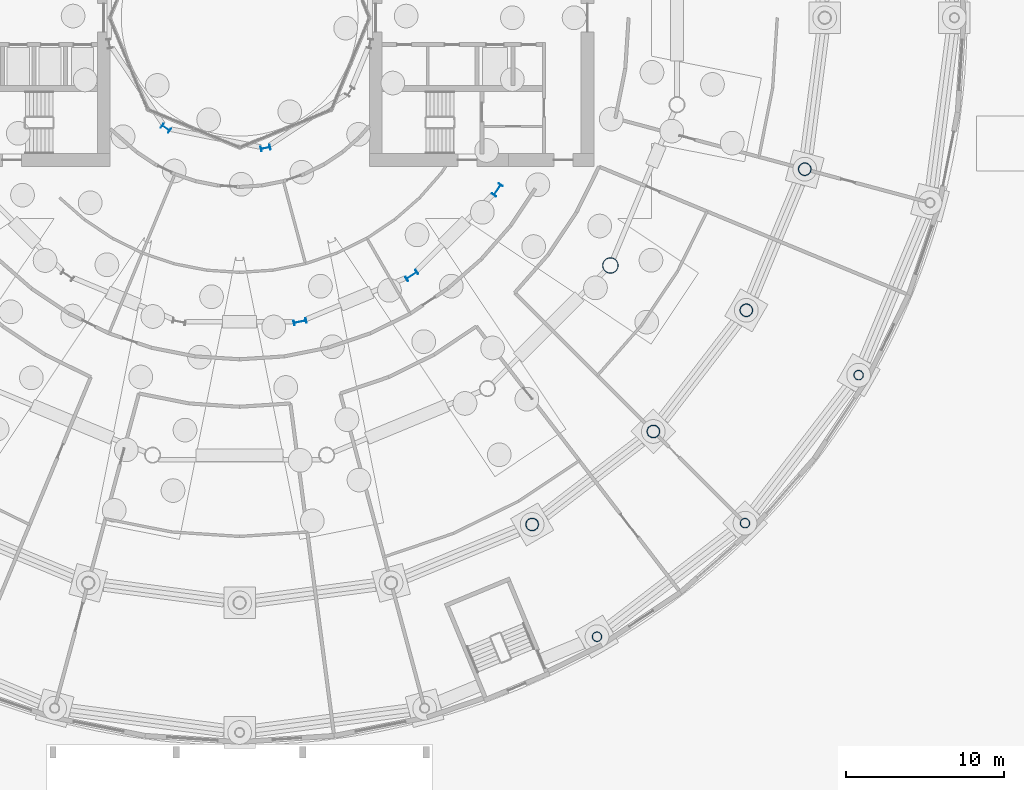
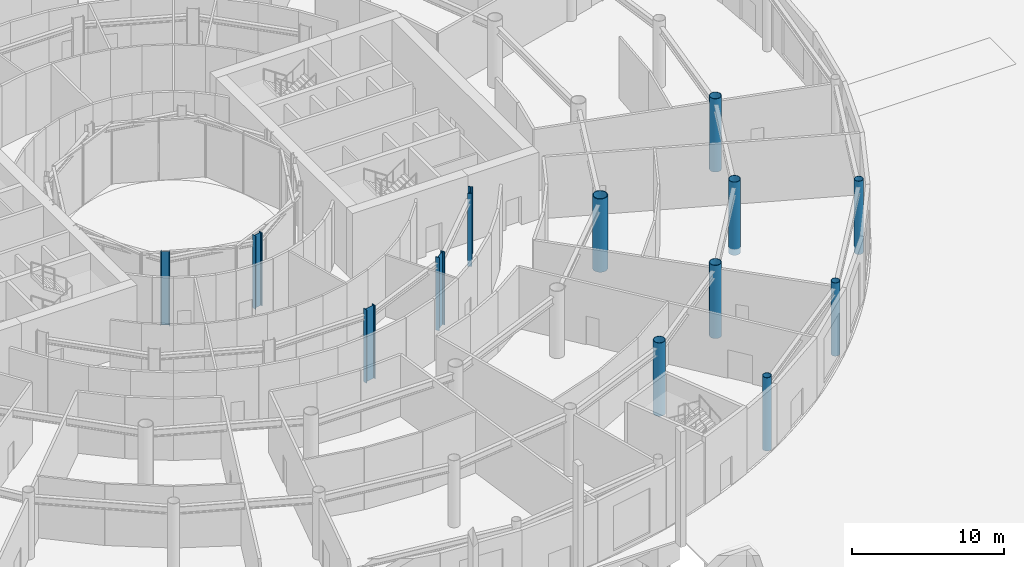
# One storey, part 5 of 41: 13 columns.
"""IFC4 building model written with IfcOpenShell, lengths in metres."""

from ifc_helpers import new_model, si_unit, direction, frame, origin, origin_2d, place, context, subcontext, project, spatial, hollow_circle, i_section, extrude, material, material_profile, profile_set, type_object, element, save


model = new_model("IFC4")

# Units and contexts
model_context = context("Model", 3, precision=1e-05, world=origin(), true_north=direction((0.0, 1.0)))
body_context = subcontext(model_context, "Body", "Model", "MODEL_VIEW")
ifc_project = project(units=[si_unit("LENGTHUNIT", "METRE"), si_unit("AREAUNIT", "SQUARE_METRE"), si_unit("VOLUMEUNIT", "CUBIC_METRE"), si_unit("PLANEANGLEUNIT", "RADIAN"), si_unit("MASSUNIT", "GRAM", prefix="KILO")], contexts=[model_context])

# Site, building, storey
site_placement = place(None, origin())
site = spatial("IfcSite", under=ifc_project, at=site_placement, CompositionType="ELEMENT")
building_placement = place(site_placement, origin())
building = spatial("IfcBuilding", under=site, at=building_placement, Name="Maasbend Ring Residences", CompositionType="ELEMENT")
storey_placement = place(building_placement, origin())
storey = spatial("IfcBuildingStorey", under=building, at=storey_placement, Name="L00", CompositionType="ELEMENT", Elevation=0.0)

# Columns
ifc_material_1 = material(Name="Composite concrete-filled steel tube S460NH / C80/95", Category="concrete")
ifc_material_profile_1 = material_profile(ifc_material_1, hollow_circle(Radius=0.508056640625, WallThickness=0.050048828125, at=origin_2d()), Name="Composite tube column CHS 1016x50")
ifc_profile_set_1 = profile_set([ifc_material_profile_1], Name="Composite concrete-filled steel tube S460NH / C80/95")
column_type_1 = type_object("IfcColumnType", Name="Composite tube column CHS 1016x50", PredefinedType="COLUMN", material=ifc_profile_set_1)
column_placement = place(storey_placement, frame((23.447509765625, -15.6669921875, -0.5), z_axis=(0.0, 0.0, 1.0), x_axis=(1.0, 0.0, 0.0)))
element("IfcColumn", 1, at=column_placement, inside=storey, type_object=column_type_1, Name="Outer column R15", PredefinedType="COLUMN", context=body_context, shape_type="SweptSolid", body=[
    extrude(hollow_circle(Radius=0.508056640625, WallThickness=0.050048828125, at=origin_2d()), origin(), (0.0, 0.0, 1.0), 5.89990234375),
])
ifc_material_2 = material(Name="Composite concrete-filled steel tube S460NH / C80/95", Category="concrete")
ifc_material_profile_2 = material_profile(ifc_material_2, hollow_circle(Radius=0.304931640625, WallThickness=0.02490234375, at=origin_2d()), Name="Composite tube column CHS 610x25")
ifc_profile_set_2 = profile_set([ifc_material_profile_2], Name="Composite concrete-filled steel tube S460NH / C80/95")
column_type_2 = type_object("IfcColumnType", Name="Composite tube column CHS 610x25", PredefinedType="COLUMN", material=ifc_profile_set_2)
for number, where, z_axis, x_axis, name in (
    (2, (22.60009765625, -39.144287109375, -0.5), (0.0, 0.0, 1.0), (1.0, 0.0, 0.0), "Deck edge column B21"),
    (3, (31.961181640625, -31.961181640625, -0.5), (0.0, 0.0, 1.0), (1.0, 0.0, 0.0), "Deck edge column B22"),
    (4, (39.144287109375, -22.60009765625, -0.5), (0.0, 0.0, 1.0), (1.0, 0.0, 0.0), "Deck edge column B23"),
):
    element("IfcColumn", number, at=place(storey_placement, frame(where, z_axis=z_axis, x_axis=x_axis)), inside=storey, type_object=column_type_2, Name=name, PredefinedType="COLUMN", context=body_context, shape_type="SweptSolid", body=[
        extrude(hollow_circle(Radius=0.304931640625, WallThickness=0.02490234375, at=origin_2d()), origin(), (0.0, 0.0, 1.0), 5.89990234375),
    ])
ifc_material_3 = material(Name="Composite concrete-filled steel tube S460NH / C80/95", Category="concrete")
ifc_material_profile_3 = material_profile(ifc_material_3, hollow_circle(Radius=0.406494140625, WallThickness=0.030029296875, at=origin_2d()), Name="Composite tube column CHS 813x30")
ifc_profile_set_3 = profile_set([ifc_material_profile_3], Name="Composite concrete-filled steel tube S460NH / C80/95")
column_type_3 = type_object("IfcColumnType", Name="Composite tube column CHS 813x30", PredefinedType="COLUMN", material=ifc_profile_set_3)
for number, where, z_axis, x_axis, name in (
    (5, (18.5, -32.04296875, -0.5), (0.0, 0.0, 1.0), (1.0, 0.0, 0.0), "Podium column B21"),
    (6, (26.1630859375, -26.1630859375, -0.5), (0.0, 0.0, 1.0), (1.0, 0.0, 0.0), "Podium column B22"),
    (7, (32.04296875, -18.5, -0.5), (0.0, 0.0, 1.0), (1.0, 0.0, 0.0), "Podium column B23"),
    (8, (35.7392578125, -9.576416015625, -0.5), (0.0, 0.0, 1.0), (1.0, 0.0, 0.0), "Podium column B24"),
):
    element("IfcColumn", number, at=place(storey_placement, frame(where, z_axis=z_axis, x_axis=x_axis)), inside=storey, type_object=column_type_3, Name=name, PredefinedType="COLUMN", context=body_context, shape_type="SweptSolid", body=[
        extrude(hollow_circle(Radius=0.406494140625, WallThickness=0.030029296875, at=origin_2d()), origin(), (0.0, 0.0, 1.0), 5.89990234375),
    ])
ifc_material_4 = material(Name="Steel S460M", Category="steel")
ifc_material_profile_4 = material_profile(ifc_material_4, i_section(OverallWidth=0.300048828125, OverallDepth=0.60009765625, WebThickness=0.015380859375, FlangeThickness=0.030029296875, FilletRadius=0.027099609375, at=origin_2d()), Name="HEB 600")
ifc_profile_set_4 = profile_set([ifc_material_profile_4], Name="Steel S460M")
column_type_4 = type_object("IfcColumnType", Name="Steel column HEB 600", PredefinedType="COLUMN", material=ifc_profile_set_4)
for number, where, z_axis, x_axis, name in (
    (9, (-4.666748046875, -6.984375, -0.5), (0.0, 0.0, 1.0), (-0.55557023302, -0.831469612303, 0.0), "Well ring column R11"),
    (10, (1.638916015625, -8.238525390625, -0.5), (0.0, 0.0, 1.0), (0.195090322016, -0.980785280403, 0.0), "Well ring column R13"),
):
    element("IfcColumn", number, at=place(storey_placement, frame(where, z_axis=z_axis, x_axis=x_axis)), inside=storey, type_object=column_type_4, Name=name, PredefinedType="COLUMN", context=body_context, shape_type="SweptSolid", body=[
        extrude(i_section(OverallWidth=0.300048828125, OverallDepth=0.60009765625, WebThickness=0.015380859375, FlangeThickness=0.030029296875, FilletRadius=0.027099609375, at=origin_2d()), origin(), (0.0, 0.0, 1.0), 5.89990234375),
    ])
ifc_material_5 = material(Name="Steel S460M", Category="steel")
ifc_material_profile_5 = material_profile(ifc_material_5, i_section(OverallWidth=0.302978515625, OverallDepth=0.81396484375, WebThickness=0.02099609375, FlangeThickness=0.0400390625, FilletRadius=0.030029296875, at=origin_2d()), Name="HEM 800")
ifc_profile_set_5 = profile_set([ifc_material_profile_5], Name="Steel S460M")
column_type_5 = type_object("IfcColumnType", Name="Steel column HEM 800", PredefinedType="COLUMN", material=ifc_profile_set_5)
for number, where, z_axis, x_axis, name in (
    (11, (3.82373046875, -19.223388671875, -0.5), (0.0, 0.0, 1.0), (0.195090322016, -0.980785280403, 0.0), "Corridor ring column R13"),
    (12, (10.88916015625, -16.296875, -0.5), (0.0, 0.0, 1.0), (0.55557023302, -0.831469612303, 0.0), "Corridor ring column R14"),
    (13, (16.296875, -10.88916015625, -0.5), (0.0, 0.0, 1.0), (0.831469612303, -0.55557023302, 0.0), "Corridor ring column R15"),
):
    element("IfcColumn", number, at=place(storey_placement, frame(where, z_axis=z_axis, x_axis=x_axis)), inside=storey, type_object=column_type_5, Name=name, PredefinedType="COLUMN", context=body_context, shape_type="SweptSolid", body=[
        extrude(i_section(OverallWidth=0.302978515625, OverallDepth=0.81396484375, WebThickness=0.02099609375, FlangeThickness=0.0400390625, FilletRadius=0.030029296875, at=origin_2d()), origin(), (0.0, 0.0, 1.0), 5.89990234375),
    ])

save(model, "model.ifc")
